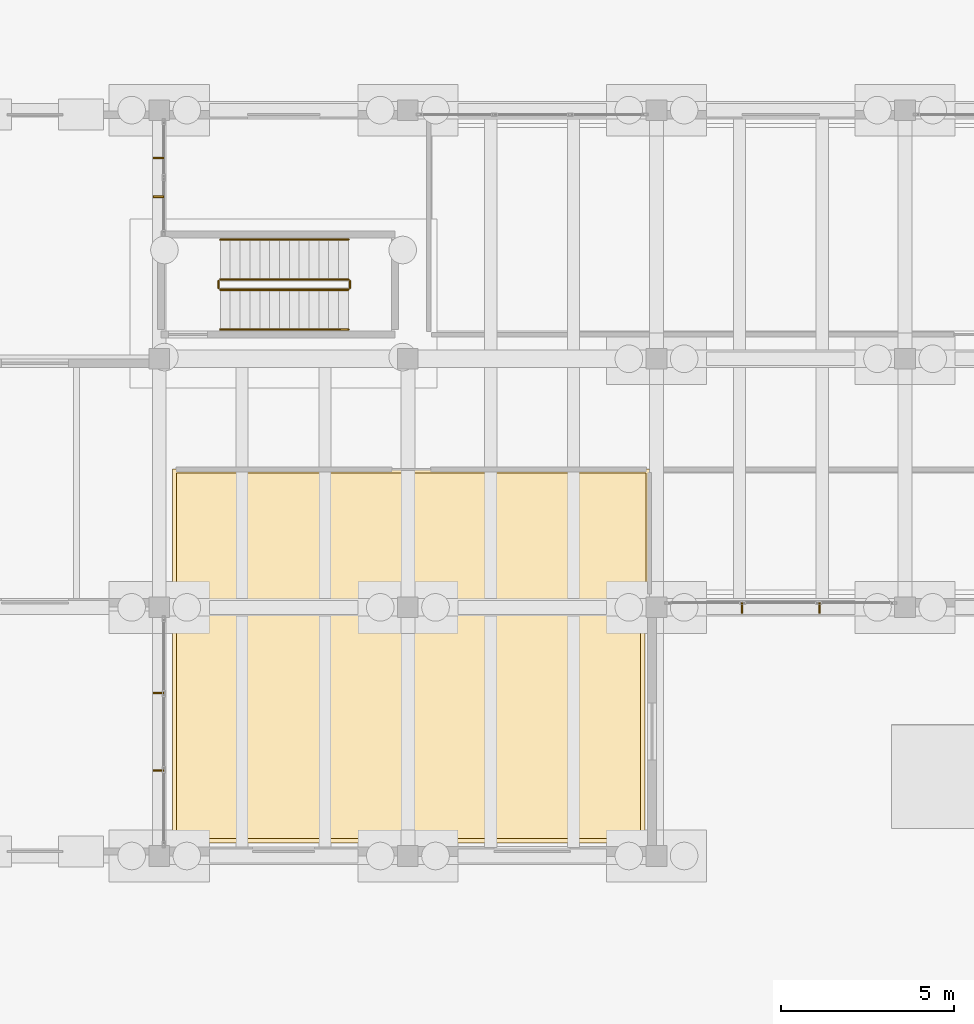
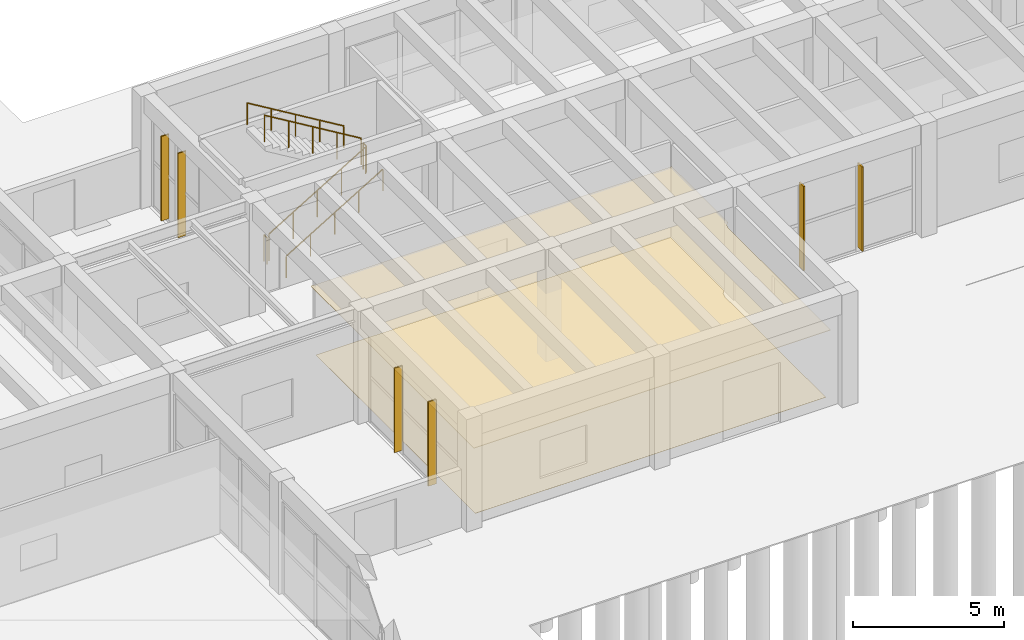
# One storey, part 141 of 155: 6 railings, 6 shading devices, 2 coverings.
"""IFC4 building model written with IfcOpenShell, lengths in metres."""

from ifc_helpers import new_model, si_unit, direction, frame, origin, origin_2d, place, context, subcontext, project, spatial, polyline, rectangle, circle, outline, extrude, material, layer, layer_set, type_object, element, save


model = new_model("IFC4")

# Units and contexts
model_context = context("Model", 3, precision=1e-05, world=origin(), true_north=direction((0.0, 1.0)))
body_context = subcontext(model_context, "Body", "Model", "MODEL_VIEW")
ifc_project = project(units=[si_unit("LENGTHUNIT", "METRE"), si_unit("AREAUNIT", "SQUARE_METRE"), si_unit("VOLUMEUNIT", "CUBIC_METRE"), si_unit("PLANEANGLEUNIT", "RADIAN"), si_unit("MASSUNIT", "GRAM", prefix="KILO")], contexts=[model_context])

# Site, building, storey
site_placement = place(None, origin())
site = spatial("IfcSite", under=ifc_project, at=site_placement, CompositionType="ELEMENT")
building_placement = place(site_placement, origin())
building = spatial("IfcBuilding", under=site, at=building_placement, Name="Bramvelor Terrace Health Centre", CompositionType="ELEMENT")
storey_placement = place(building_placement, origin())
storey = spatial("IfcBuildingStorey", under=building, at=storey_placement, Name="L01", CompositionType="ELEMENT", Elevation=0.0)

# Coverings
ifc_material_1 = material(Name="Hygienic mineral-fibre acoustic ceiling", Category="gypsum")
ifc_layer_1 = layer(ifc_material_1, 0.02001953125)
ifc_layer_set_1 = layer_set([ifc_layer_1], Name="Hygienic mineral-fibre acoustic ceiling")
covering_type_1 = type_object("IfcCoveringType", Name="COV-CLG-ACT", PredefinedType="CEILING", material=ifc_layer_set_1)
covering_1_placement = place(storey_placement, frame((0.0, 0.0, 2.75)))
element("IfcCovering", 1, at=covering_1_placement, inside=storey, type_object=covering_type_1, Name="L01 Day Surgery Admissions Suite Acoustic Ceiling", PredefinedType="CEILING", context=body_context, shape_type="SweptSolid", body=[
    extrude(outline(polyline([(101.179931640625, 54.389892578125), (101.18017578125, 54.39208984375), (101.180419921875, 54.393798828125), (101.180908203125, 54.395751953125), (101.181396484375, 54.397705078125), (101.182373046875, 54.3994140625), (101.183349609375, 54.401123046875), (101.1845703125, 54.402587890625), (101.185791015625, 54.404052734375), (101.187255859375, 54.405517578125), (101.18896484375, 54.406494140625), (101.190673828125, 54.40771484375), (101.1923828125, 54.408447265625), (101.194091796875, 54.4091796875), (101.196044921875, 54.40966796875), (101.197998046875, 54.409912109375), (101.199951171875, 54.409912109375), (115.0, 54.409912109375), (115.001953125, 54.409912109375), (115.00390625, 54.40966796875), (115.005859375, 54.4091796875), (115.0078125, 54.408447265625), (115.009521484375, 54.40771484375), (115.010986328125, 54.406494140625), (115.0126953125, 54.405517578125), (115.01416015625, 54.404052734375), (115.015380859375, 54.402587890625), (115.0166015625, 54.401123046875), (115.017578125, 54.3994140625), (115.0185546875, 54.397705078125), (115.01904296875, 54.395751953125), (115.01953125, 54.393798828125), (115.02001953125, 54.39208984375), (115.02001953125, 54.389892578125), (115.02001953125, 50.69921875), (115.02001953125, 50.697509765625), (115.019775390625, 50.69580078125), (115.019287109375, 50.69384765625), (115.018798828125, 50.692138671875), (115.017822265625, 50.6904296875), (115.01708984375, 50.688720703125), (115.01611328125, 50.687255859375), (115.014892578125, 50.685791015625), (114.900634765625, 50.56005859375), (114.860107421875, 50.3974609375), (114.860107421875, 43.60009765625), (114.85986328125, 43.597900390625), (114.859619140625, 43.59619140625), (114.859130859375, 43.59423828125), (114.8583984375, 43.59228515625), (114.857666015625, 43.590576171875), (114.856689453125, 43.5888671875), (114.85546875, 43.58740234375), (114.85400390625, 43.5859375), (114.852783203125, 43.58447265625), (114.85107421875, 43.58349609375), (114.849365234375, 43.58251953125), (114.84765625, 43.58154296875), (114.845703125, 43.580810546875), (114.843994140625, 43.580322265625), (114.842041015625, 43.580078125), (114.840087890625, 43.580078125), (101.199951171875, 43.580078125), (101.197998046875, 43.580078125), (101.196044921875, 43.580322265625), (101.194091796875, 43.580810546875), (101.1923828125, 43.58154296875), (101.190673828125, 43.58251953125), (101.18896484375, 43.58349609375), (101.187255859375, 43.58447265625), (101.185791015625, 43.5859375), (101.1845703125, 43.58740234375), (101.183349609375, 43.5888671875), (101.182373046875, 43.590576171875), (101.181396484375, 43.59228515625), (101.180908203125, 43.59423828125), (101.180419921875, 43.59619140625), (101.18017578125, 43.597900390625), (101.179931640625, 43.60009765625), (101.179931640625, 54.389892578125)])), origin(), (0.0, 0.0, 1.0), 0.02001953125),
])
ifc_material_2 = material(Name="Seamless antimicrobial clinical vinyl", Category="polymer")
ifc_layer_2 = layer(ifc_material_2, 0.008056640625)
ifc_layer_set_2 = layer_set([ifc_layer_2], Name="Seamless antimicrobial clinical vinyl")
covering_type_2 = type_object("IfcCoveringType", Name="COV-FLR-VNL", PredefinedType="FLOORING", material=ifc_layer_set_2)
covering_2_placement = place(storey_placement, origin())
element("IfcCovering", 2, at=covering_2_placement, inside=storey, type_object=covering_type_2, Name="L01 Day Surgery Admissions Suite Clinical Vinyl Flooring", PredefinedType="FLOORING", context=body_context, shape_type="SweptSolid", body=[
    extrude(outline(polyline([(101.300048828125, 54.2900390625), (114.89990234375, 54.2900390625), (114.89990234375, 50.73779296875), (114.808349609375, 50.636962890625), (114.80224609375, 50.62939453125), (114.796630859375, 50.62109375), (114.7919921875, 50.612548828125), (114.788330078125, 50.603515625), (114.785400390625, 50.593994140625), (114.742919921875, 50.42431640625), (114.74072265625, 50.412109375), (114.739990234375, 50.39990234375), (114.739990234375, 43.699951171875), (101.300048828125, 43.699951171875), (101.300048828125, 54.2900390625)])), origin(), (0.0, 0.0, 1.0), 0.008056640625),
])

# Railings
ifc_material_3 = material(Name="Painted galvanized steel", Category="steel")
railing_type_1 = type_object("IfcRailingType", Name="RLG-GD-1100", PredefinedType="GUARDRAIL", material=ifc_material_3)
railing_1_placement = place(storey_placement, frame((102.570068359375, 59.60009765625, 0.17138671875)))
element("IfcRailing", 3, at=railing_1_placement, inside=storey, type_object=railing_type_1, Name="L01 ST-5 stair guard 1", PredefinedType="GUARDRAIL", context=body_context, shape_type="SweptSolid", body=[
    extrude(circle(Radius=0.02392578125, at=origin_2d()), frame((0.0, 0.0, 1.076171875), z_axis=(0.856919398105, 0.0, 0.515450429384), x_axis=(0.0, 1.0, 0.0)), (0.0, 0.0, 1.0), 4.323486328125),
    extrude(circle(Radius=0.02099609375, at=origin_2d()), origin(), (0.0, 0.0, 1.0), 1.052001953125),
    extrude(circle(Radius=0.02099609375, at=origin_2d()), frame((0.92626953125, 0.0, 0.55712890625)), (0.0, 0.0, 1.0), 1.052001953125),
    extrude(circle(Radius=0.02099609375, at=origin_2d()), frame((1.8525390625, 0.0, 1.1142578125)), (0.0, 0.0, 1.0), 1.052001953125),
    extrude(circle(Radius=0.02099609375, at=origin_2d()), frame((2.778564453125, 0.0, 1.67138671875)), (0.0, 0.0, 1.0), 1.052001953125),
    extrude(circle(Radius=0.02099609375, at=origin_2d()), frame((3.704833984375, 0.0, 2.228515625)), (0.0, 0.0, 1.0), 1.052001953125),
])
railing_2_placement = place(storey_placement, frame((106.324951171875, 59.64990234375, 2.39990234375)))
element("IfcRailing", 4, at=railing_2_placement, inside=storey, type_object=railing_type_1, Name="L01 ST-5 stair guard 2", PredefinedType="GUARDRAIL", context=body_context, shape_type="SweptSolid", body=[
    extrude(circle(Radius=0.02392578125, at=origin_2d()), frame((0.0, 0.0, 1.076171875), z_axis=(0.0, 1.0, 0.0), x_axis=(-1.0, 0.0, 0.0)), (0.0, 0.0, 1.0), 0.2001953125),
    extrude(circle(Radius=0.02099609375, at=origin_2d()), origin(), (0.0, 0.0, 1.0), 1.052001953125),
    extrude(circle(Radius=0.02099609375, at=origin_2d()), frame((0.0, 0.2001953125, 0.0)), (0.0, 0.0, 1.0), 1.052001953125),
])
railing_3_placement = place(storey_placement, frame((106.27490234375, 59.89990234375, 2.571533203125)))
element("IfcRailing", 5, at=railing_3_placement, inside=storey, type_object=railing_type_1, Name="L01 ST-5 stair guard 3", PredefinedType="GUARDRAIL", context=body_context, shape_type="SweptSolid", body=[
    extrude(circle(Radius=0.02392578125, at=origin_2d()), frame((0.0, 0.0, 1.076171875), z_axis=(-0.856919398105, 0.0, 0.515450429384), x_axis=(0.0, -1.0, 0.0)), (0.0, 0.0, 1.0), 4.323486328125),
    extrude(circle(Radius=0.02099609375, at=origin_2d()), origin(), (0.0, 0.0, 1.0), 1.052001953125),
    extrude(circle(Radius=0.02099609375, at=origin_2d()), frame((-0.92626953125, 0.0, 0.55712890625)), (0.0, 0.0, 1.0), 1.052001953125),
    extrude(circle(Radius=0.02099609375, at=origin_2d()), frame((-1.8525390625, 0.0, 1.1142578125)), (0.0, 0.0, 1.0), 1.052001953125),
    extrude(circle(Radius=0.02099609375, at=origin_2d()), frame((-2.778564453125, 0.0, 1.67138671875)), (0.0, 0.0, 1.0), 1.052001953125),
    extrude(circle(Radius=0.02099609375, at=origin_2d()), frame((-3.704833984375, 0.0, 2.228515625)), (0.0, 0.0, 1.0), 1.052001953125),
])
railing_4_placement = place(storey_placement, frame((102.52001953125, 59.64990234375, 0.0)))
element("IfcRailing", 6, at=railing_4_placement, inside=storey, type_object=railing_type_1, Name="L01 ST-5 stair guard 4", PredefinedType="GUARDRAIL", context=body_context, shape_type="SweptSolid", body=[
    extrude(circle(Radius=0.02392578125, at=origin_2d()), frame((0.0, 0.0, 1.076171875), z_axis=(0.0, 1.0, 0.0), x_axis=(-1.0, 0.0, 0.0)), (0.0, 0.0, 1.0), 0.2001953125),
    extrude(circle(Radius=0.02099609375, at=origin_2d()), origin(), (0.0, 0.0, 1.0), 1.052001953125),
    extrude(circle(Radius=0.02099609375, at=origin_2d()), frame((0.0, 0.2001953125, 0.0)), (0.0, 0.0, 1.0), 1.052001953125),
])
ifc_material_4 = material(Name="Brushed stainless steel 316", Category="steel")
railing_type_2 = type_object("IfcRailingType", Name="RLG-HR-900", PredefinedType="HANDRAIL", material=ifc_material_4)
railing_5_placement = place(storey_placement, frame((102.570068359375, 58.449951171875, 0.17138671875)))
element("IfcRailing", 7, at=railing_5_placement, inside=storey, type_object=railing_type_2, Name="L01 ST-5 stair handrail 1", PredefinedType="HANDRAIL", context=body_context, shape_type="SweptSolid", body=[
    extrude(circle(Radius=0.02392578125, at=origin_2d()), frame((0.0, 0.0, 0.8759765625), z_axis=(0.856919398105, 0.0, 0.515450429384), x_axis=(0.0, 1.0, 0.0)), (0.0, 0.0, 1.0), 4.323486328125),
    extrude(circle(Radius=0.02099609375, at=origin_2d()), origin(), (0.0, 0.0, 1.0), 0.851806640625),
    extrude(circle(Radius=0.02099609375, at=origin_2d()), frame((0.92626953125, 0.0, 0.55712890625)), (0.0, 0.0, 1.0), 0.851806640625),
    extrude(circle(Radius=0.02099609375, at=origin_2d()), frame((1.8525390625, 0.0, 1.1142578125)), (0.0, 0.0, 1.0), 0.851806640625),
    extrude(circle(Radius=0.02099609375, at=origin_2d()), frame((2.778564453125, 0.0, 1.67138671875)), (0.0, 0.0, 1.0), 0.851806640625),
    extrude(circle(Radius=0.02099609375, at=origin_2d()), frame((3.704833984375, 0.0, 2.228515625)), (0.0, 0.0, 1.0), 0.851806640625),
])
railing_6_placement = place(storey_placement, frame((106.27490234375, 61.050048828125, 2.571533203125)))
element("IfcRailing", 8, at=railing_6_placement, inside=storey, type_object=railing_type_2, Name="L01 ST-5 stair handrail 2", PredefinedType="HANDRAIL", context=body_context, shape_type="SweptSolid", body=[
    extrude(circle(Radius=0.02392578125, at=origin_2d()), frame((0.0, 0.0, 0.8759765625), z_axis=(-0.856919398105, 0.0, 0.515450429384), x_axis=(0.0, -1.0, 0.0)), (0.0, 0.0, 1.0), 4.323486328125),
    extrude(circle(Radius=0.02099609375, at=origin_2d()), origin(), (0.0, 0.0, 1.0), 0.851806640625),
    extrude(circle(Radius=0.02099609375, at=origin_2d()), frame((-0.92626953125, 0.0, 0.55712890625)), (0.0, 0.0, 1.0), 0.851806640625),
    extrude(circle(Radius=0.02099609375, at=origin_2d()), frame((-1.8525390625, 0.0, 1.1142578125)), (0.0, 0.0, 1.0), 0.851806640625),
    extrude(circle(Radius=0.02099609375, at=origin_2d()), frame((-2.778564453125, 0.0, 1.67138671875)), (0.0, 0.0, 1.0), 0.851806640625),
    extrude(circle(Radius=0.02099609375, at=origin_2d()), frame((-3.704833984375, 0.0, 2.228515625)), (0.0, 0.0, 1.0), 0.851806640625),
])

# Shading devices
ifc_material_5 = material(Name="Anodized aluminium 6063-T6", Category="aluminium")
ifc_layer_3 = layer(ifc_material_5, 0.050048828125)
ifc_layer_set_3 = layer_set([ifc_layer_3], Name="Anodized aluminium 6063-T6")
shading_device_type = type_object("IfcShadingDeviceType", Name="SHD-FIN-300", PredefinedType="JALOUSIE", material=ifc_layer_set_3)
for number, where, z_axis, x_axis, name in (
    (9, (100.780029296875, 62.29052734375, 0.150146484375), (0.0, 0.0, 1.0), (1.0, 0.0, 0.0), "L01 Solar Shading Louvre Fin 27"),
    (10, (100.780029296875, 63.414306640625, 0.150146484375), (0.0, 0.0, 1.0), (1.0, 0.0, 0.0), "L01 Solar Shading Louvre Fin 28"),
):
    element("IfcShadingDevice", number, at=place(storey_placement, frame(where, z_axis=z_axis, x_axis=x_axis)), inside=storey, type_object=shading_device_type, Name=name, PredefinedType="JALOUSIE", context=body_context, shape_type="SweptSolid", body=[
        extrude(rectangle(XDim=0.300048828125, YDim=0.050048828125, at=origin_2d()), origin(), (0.0, 0.0, 1.0), 3.419921875),
    ])
for number, where, z_axis, x_axis, name in (
    (11, (119.923583984375, 50.3798828125, 0.150146484375), (0.0, 0.0, 1.0), (1.0, 0.0, 0.0), "L01 Solar Shading Louvre Fin 35"),
    (12, (117.67626953125, 50.3798828125, 0.150146484375), (0.0, 0.0, 1.0), (1.0, 0.0, 0.0), "L01 Solar Shading Louvre Fin 36"),
):
    element("IfcShadingDevice", number, at=place(storey_placement, frame(where, z_axis=z_axis, x_axis=x_axis)), inside=storey, type_object=shading_device_type, Name=name, PredefinedType="JALOUSIE", context=body_context, shape_type="SweptSolid", body=[
        extrude(rectangle(XDim=0.050048828125, YDim=0.300048828125, at=origin_2d()), origin(), (0.0, 0.0, 1.0), 3.419921875),
    ])
for number, where, z_axis, x_axis, name in (
    (13, (100.780029296875, 45.67626953125, 0.150146484375), (0.0, 0.0, 1.0), (1.0, 0.0, 0.0), "L01 Solar Shading Louvre Fin 37"),
    (14, (100.780029296875, 47.923583984375, 0.150146484375), (0.0, 0.0, 1.0), (1.0, 0.0, 0.0), "L01 Solar Shading Louvre Fin 38"),
):
    element("IfcShadingDevice", number, at=place(storey_placement, frame(where, z_axis=z_axis, x_axis=x_axis)), inside=storey, type_object=shading_device_type, Name=name, PredefinedType="JALOUSIE", context=body_context, shape_type="SweptSolid", body=[
        extrude(rectangle(XDim=0.300048828125, YDim=0.050048828125, at=origin_2d()), origin(), (0.0, 0.0, 1.0), 3.419921875),
    ])

save(model, "model.ifc")
